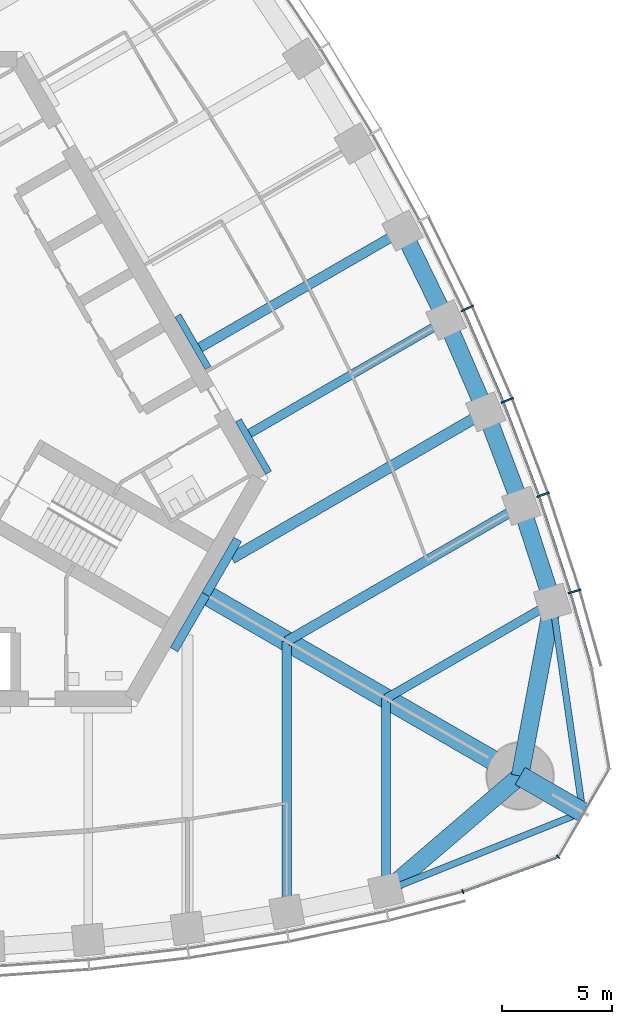
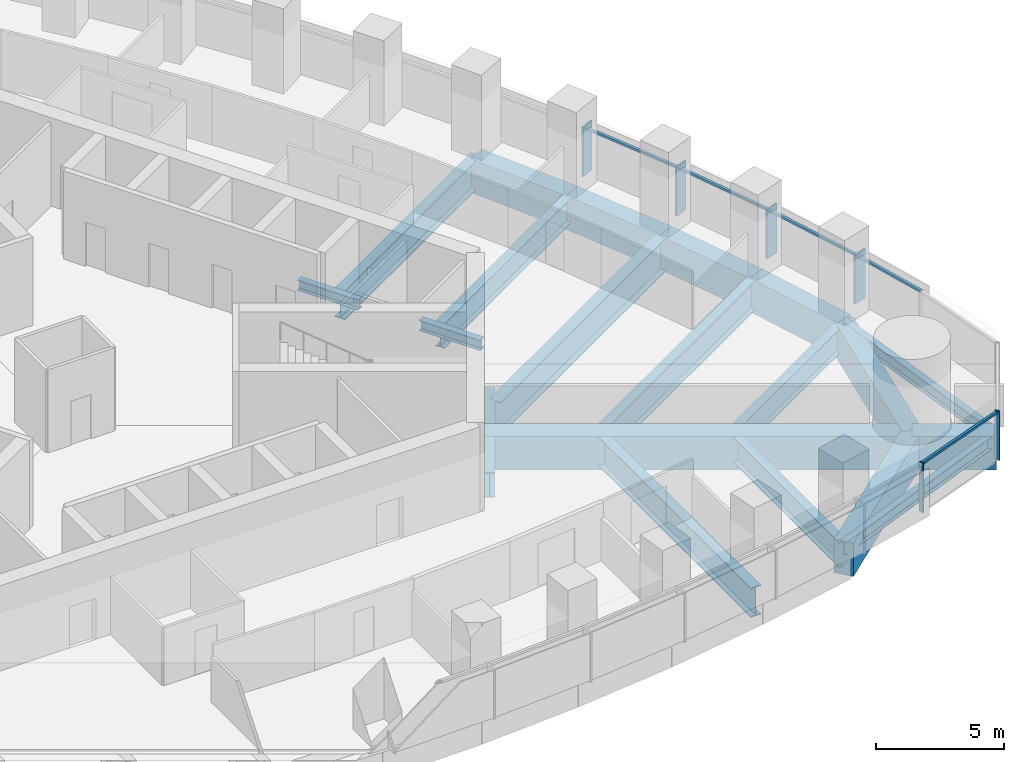
# One storey, part 4 of 19: 21 beams, 11 members, 2 elements without a shape of their own.
"""IFC4 building model written with IfcOpenShell, lengths in metres."""

from ifc_helpers import new_model, si_unit, direction, frame, origin, origin_2d, place, context, subcontext, project, spatial, rectangle, i_section, extrude, material, material_profile, profile_set, type_object, element, aggregate, save


model = new_model("IFC4")

# Units and contexts
model_context = context("Model", 3, precision=1e-05, world=origin(), true_north=direction((0.0, 1.0)))
body_context = subcontext(model_context, "Body", "Model", "MODEL_VIEW")
ifc_project = project(units=[si_unit("LENGTHUNIT", "METRE"), si_unit("AREAUNIT", "SQUARE_METRE"), si_unit("VOLUMEUNIT", "CUBIC_METRE"), si_unit("PLANEANGLEUNIT", "RADIAN"), si_unit("MASSUNIT", "GRAM", prefix="KILO")], contexts=[model_context])

# Site, building, storey
site_placement = place(None, origin())
site = spatial("IfcSite", under=ifc_project, at=site_placement, CompositionType="ELEMENT")
building_placement = place(site_placement, origin())
building = spatial("IfcBuilding", under=site, at=building_placement, Name="Trefoil Bronze Tower", CompositionType="ELEMENT")
storey_placement = place(building_placement, frame((0.0, 0.0, 261.10009765625)))
storey = spatial("IfcBuildingStorey", under=building, at=storey_placement, Name="L60", CompositionType="ELEMENT", Elevation=261.10009765625)

# Curtain wall, members
ifc_material_1 = material(Name="Tinted solar-control glass", Category="glass")
curtain_wall_type_1 = type_object("IfcCurtainWallType", Name="Bronze office curtain wall", PredefinedType="USERDEFINED", material=ifc_material_1)
curtain_wall_1_placement = place(storey_placement, origin())
curtain_wall_1 = element("IfcCurtainWall", 1, at=curtain_wall_1_placement, inside=storey, type_object=curtain_wall_type_1, Name="CW-A L60 F2", ObjectType="CURTAIN WALL", PredefinedType="USERDEFINED")
ifc_material_2 = material(Name="Bronze-finish aluminium", Category="aluminium")
ifc_material_profile_1 = material_profile(ifc_material_2, rectangle(XDim=0.60009765625, YDim=0.080078125, at=origin_2d()), Name="CW-A mullion")
ifc_profile_set_1 = profile_set([ifc_material_profile_1], Name="Bronze-finish aluminium")
member_type_1 = type_object("IfcMemberType", Name="Bronze office curtain wall mullion", PredefinedType="MULLION", material=ifc_profile_set_1)
member_1_placement = place(storey_placement, frame((31.05029296875, -8.132568359375, 0.0), z_axis=(0.0, 0.0, 1.0), x_axis=(-0.95694224323, -0.290278389002, 0.0)))
member_1 = element("IfcMember", 2, at=member_1_placement, type_object=member_type_1, Name="CW-A L60 F2 mullion 2", PredefinedType="MULLION", context=body_context, shape_type="SweptSolid", body=[
    extrude(rectangle(XDim=0.60009765625, YDim=0.080078125, at=origin_2d()), origin(), (0.0, 0.0, 1.0), 2.349853515625),
])
member_2_placement = place(storey_placement, frame((29.619873046875, -3.747314453125, 0.0), z_axis=(0.0, 0.0, 1.0), x_axis=(-0.943180077746, -0.332282020191, 0.0)))
member_2 = element("IfcMember", 3, at=member_2_placement, type_object=member_type_1, Name="CW-A L60 F2 mullion 3", PredefinedType="MULLION", context=body_context, shape_type="SweptSolid", body=[
    extrude(rectangle(XDim=0.60009765625, YDim=0.080078125, at=origin_2d()), origin(), (0.0, 0.0, 1.0), 2.349853515625),
])
member_3_placement = place(storey_placement, frame((27.999755859375, 0.529541015625, 0.0), z_axis=(0.0, 0.0, 1.0), x_axis=(-0.926689348282, -0.375828221106, 0.0)))
member_3 = element("IfcMember", 4, at=member_3_placement, type_object=member_type_1, Name="CW-A L60 F2 mullion 4", PredefinedType="MULLION", context=body_context, shape_type="SweptSolid", body=[
    extrude(rectangle(XDim=0.60009765625, YDim=0.080078125, at=origin_2d()), origin(), (0.0, 0.0, 1.0), 2.349853515625),
])
member_4_placement = place(storey_placement, frame((26.19482421875, 4.699462890625, 0.0), z_axis=(0.0, 0.0, 1.0), x_axis=(-0.908315380354, -0.418285990457, 0.0)))
member_4 = element("IfcMember", 5, at=member_4_placement, type_object=member_type_1, Name="CW-A L60 F2 mullion 5", PredefinedType="MULLION", context=body_context, shape_type="SweptSolid", body=[
    extrude(rectangle(XDim=0.60009765625, YDim=0.080078125, at=origin_2d()), origin(), (0.0, 0.0, 1.0), 2.349853515625),
])
ifc_material_3 = material(Name="Bronze-finish aluminium", Category="aluminium")
ifc_material_profile_2 = material_profile(ifc_material_3, rectangle(XDim=0.1201171875, YDim=0.10009765625, at=origin_2d()), Name="CW-A transom")
ifc_profile_set_2 = profile_set([ifc_material_profile_2], Name="Bronze-finish aluminium")
member_type_2 = type_object("IfcMemberType", Name="Bronze office curtain wall transom", PredefinedType="USERDEFINED", material=ifc_profile_set_2)
member_5_placement = place(storey_placement, frame((31.81201171875, -11.585205078125, 2.2998046875), z_axis=(-0.270284880437, 0.962780392097, 0.0), x_axis=(-0.962780392097, -0.270284880437, 0.0)))
member_5 = element("IfcMember", 6, at=member_5_placement, type_object=member_type_2, Name="CW-A L60 F2 transom 1", ObjectType="TRANSOM", PredefinedType="USERDEFINED", context=body_context, shape_type="SweptSolid", body=[
    extrude(rectangle(XDim=0.1201171875, YDim=0.10009765625, at=origin_2d()), origin(), (0.0, 0.0, 1.0), 3.48388671875),
])
member_6_placement = place(storey_placement, frame((30.845947265625, -8.150634765625, 2.2998046875), z_axis=(-0.310127806788, 0.950694874004, 0.0), x_axis=(-0.950694874004, -0.310127806788, 0.0)))
member_6 = element("IfcMember", 7, at=member_6_placement, type_object=member_type_2, Name="CW-A L60 F2 transom 2", ObjectType="TRANSOM", PredefinedType="USERDEFINED", context=body_context, shape_type="SweptSolid", body=[
    extrude(rectangle(XDim=0.1201171875, YDim=0.10009765625, at=origin_2d()), origin(), (0.0, 0.0, 1.0), 4.51953125),
])
member_7_placement = place(storey_placement, frame((29.416259765625, -3.774169921875, 2.2998046875), z_axis=(-0.354263170896, 0.935145767112, 0.0), x_axis=(-0.935145767112, -0.354263170896, 0.0)))
member_7 = element("IfcMember", 8, at=member_7_placement, type_object=member_type_2, Name="CW-A L60 F2 transom 3", ObjectType="TRANSOM", PredefinedType="USERDEFINED", context=body_context, shape_type="SweptSolid", body=[
    extrude(rectangle(XDim=0.1201171875, YDim=0.10009765625, at=origin_2d()), origin(), (0.0, 0.0, 1.0), 4.4794921875),
])
member_8_placement = place(storey_placement, frame((27.797607421875, 0.4931640625, 2.2998046875), z_axis=(-0.397220936772, 0.917723012346, 0.0), x_axis=(-0.917723012346, -0.397220936772, 0.0)))
member_8 = element("IfcMember", 9, at=member_8_placement, type_object=member_type_2, Name="CW-A L60 F2 transom 4", ObjectType="TRANSOM", PredefinedType="USERDEFINED", context=body_context, shape_type="SweptSolid", body=[
    extrude(rectangle(XDim=0.1201171875, YDim=0.10009765625, at=origin_2d()), origin(), (0.0, 0.0, 1.0), 4.449951171875),
])
aggregate(curtain_wall_1, [member_1, member_2, member_3, member_4, member_5, member_6, member_7, member_8])

ifc_material_4 = material(Name="Tinted solar-control glass", Category="glass")
curtain_wall_type_2 = type_object("IfcCurtainWallType", Name="Bronze rounded corner curtain wall", PredefinedType="USERDEFINED", material=ifc_material_4)
curtain_wall_2_placement = place(storey_placement, origin())
curtain_wall_2 = element("IfcCurtainWall", 10, at=curtain_wall_2_placement, inside=storey, type_object=curtain_wall_type_2, Name="CW-B L60 K1", ObjectType="CURTAIN WALL", PredefinedType="USERDEFINED")
ifc_material_5 = material(Name="Bronze-finish aluminium", Category="aluminium")
ifc_material_profile_3 = material_profile(ifc_material_5, rectangle(XDim=0.199951171875, YDim=0.06005859375, at=origin_2d()), Name="CW-B mullion")
ifc_profile_set_3 = profile_set([ifc_material_profile_3], Name="Bronze-finish aluminium")
member_type_3 = type_object("IfcMemberType", Name="Bronze rounded corner curtain wall mullion", PredefinedType="MULLION", material=ifc_profile_set_3)
member_9_placement = place(storey_placement, frame((25.9873046875, -21.74462890625, 0.0), z_axis=(0.0, 0.0, 1.0), x_axis=(-0.342020143326, 0.939692620786, 0.0)))
member_9 = element("IfcMember", 11, at=member_9_placement, type_object=member_type_3, Name="CW-B L60 K1 mullion 1", PredefinedType="MULLION", context=body_context, shape_type="SweptSolid", body=[
    extrude(rectangle(XDim=0.199951171875, YDim=0.06005859375, at=origin_2d()), origin(), (0.0, 0.0, 1.0), 2.349853515625),
])
member_10_placement = place(storey_placement, frame((30.302490234375, -20.16748046875, 0.0), z_axis=(0.0, 0.0, 1.0), x_axis=(-0.642787609687, 0.766044443119, 0.0)))
member_10 = element("IfcMember", 12, at=member_10_placement, type_object=member_type_3, Name="CW-B L60 K1 mullion 2", PredefinedType="MULLION", context=body_context, shape_type="SweptSolid", body=[
    extrude(rectangle(XDim=0.199951171875, YDim=0.06005859375, at=origin_2d()), origin(), (0.0, 0.0, 1.0), 2.349853515625),
])
ifc_material_6 = material(Name="Bronze-finish aluminium", Category="aluminium")
ifc_material_profile_4 = material_profile(ifc_material_6, rectangle(XDim=0.1201171875, YDim=0.10009765625, at=origin_2d()), Name="CW-B transom")
ifc_profile_set_4 = profile_set([ifc_material_profile_4], Name="Bronze-finish aluminium")
member_type_4 = type_object("IfcMemberType", Name="Bronze rounded corner curtain wall transom", PredefinedType="USERDEFINED", material=ifc_profile_set_4)
member_11_placement = place(storey_placement, frame((26.015380859375, -21.734375, 2.2998046875), z_axis=(0.939680910753, 0.342052314664, 0.0), x_axis=(-0.342052314664, 0.939680910753, 0.0)))
member_11 = element("IfcMember", 13, at=member_11_placement, type_object=member_type_4, Name="CW-B L60 K1 transom 1", ObjectType="TRANSOM", PredefinedType="USERDEFINED", context=body_context, shape_type="SweptSolid", body=[
    extrude(rectangle(XDim=0.1201171875, YDim=0.10009765625, at=origin_2d()), origin(), (0.0, 0.0, 1.0), 4.500244140625),
])
aggregate(curtain_wall_2, [member_9, member_10, member_11])

# Beams
ifc_material_7 = material(Name="Steel C355", Category="steel")
ifc_material_profile_5 = material_profile(ifc_material_7, i_section(OverallWidth=0.300048828125, OverallDepth=0.5, WebThickness=0.014404296875, FlangeThickness=0.028076171875, FilletRadius=0.027099609375, at=origin_2d()), Name="HEB 500")
ifc_profile_set_5 = profile_set([ifc_material_profile_5], Name="Steel C355")
beam_type_1 = type_object("IfcBeamType", Name="Core seat beam HEB 500", PredefinedType="BEAM", material=ifc_profile_set_5)
for number, where, z_axis, x_axis, name in (
    (14, (17.17626953125, -2.75, -0.4501953125), (-0.500035825175, 0.866004719122, 0.0), (-0.866004719122, -0.500035825175, 0.0), "Core seat beam F2/-2 L60"),
    (15, (14.433837890625, 2.0, -0.4501953125), (-0.500035825175, 0.866004719122, 0.0), (-0.866004719122, -0.500035825175, 0.0), "Core seat beam F2/-1 L60"),
):
    element("IfcBeam", number, at=place(storey_placement, frame(where, z_axis=z_axis, x_axis=x_axis)), inside=storey, type_object=beam_type_1, Name=name, PredefinedType="BEAM", context=body_context, shape_type="SweptSolid", body=[
        extrude(i_section(OverallWidth=0.300048828125, OverallDepth=0.5, WebThickness=0.014404296875, FlangeThickness=0.028076171875, FilletRadius=0.027099609375, at=origin_2d()), origin(), (0.0, 0.0, 1.0), 2.742431640625),
    ])
ifc_material_8 = material(Name="Steel C355", Category="steel")
ifc_material_profile_6 = material_profile(ifc_material_8, i_section(OverallWidth=0.39990234375, OverallDepth=1.199951171875, WebThickness=0.02001953125, FlangeThickness=0.0400390625, FilletRadius=0.010009765625, at=origin_2d()), Name="WPG 1200")
ifc_profile_set_6 = profile_set([ifc_material_profile_6], Name="Steel C355")
beam_type_2 = type_object("IfcBeamType", Name="Core seat beam WPG 1200", PredefinedType="BEAM", material=ifc_profile_set_6)
for number, where, z_axis, x_axis, name in (
    (16, (12.889404296875, -10.77490234375, -0.800048828125), (0.499995765644, 0.866027848477, 0.0), (-0.866027848477, 0.499995765644, 0.0), "Core seat beam F1/+3 L60"),
    (17, (14.332763671875, -8.27490234375, -0.800048828125), (0.499995765644, 0.866027848477, 0.0), (-0.866027848477, 0.499995765644, 0.0), "Core seat beam F2/-3 L60"),
):
    element("IfcBeam", number, at=place(storey_placement, frame(where, z_axis=z_axis, x_axis=x_axis)), inside=storey, type_object=beam_type_2, Name=name, PredefinedType="BEAM", context=body_context, shape_type="SweptSolid", body=[
        extrude(i_section(OverallWidth=0.39990234375, OverallDepth=1.199951171875, WebThickness=0.02001953125, FlangeThickness=0.0400390625, FilletRadius=0.010009765625, at=origin_2d()), origin(), (0.0, 0.0, 1.0), 2.88671875),
    ])
ifc_material_9 = material(Name="Concrete B80", Category="concrete")
ifc_material_profile_7 = material_profile(ifc_material_9, rectangle(XDim=0.89990234375, YDim=1.60009765625, at=origin_2d()), Name="RC 900x1600")
ifc_profile_set_7 = profile_set([ifc_material_profile_7], Name="Concrete B80")
beam_type_3 = type_object("IfcBeamType", Name="Corner cantilever RC 900x1600", PredefinedType="BEAM", material=ifc_profile_set_7)
beam_1_placement = place(storey_placement, frame((28.578857421875, -16.5, -1.0), z_axis=(0.866016004958, -0.500016278891, 0.0), x_axis=(0.500016278891, 0.866016004958, 0.0)))
element("IfcBeam", 18, at=beam_1_placement, inside=storey, type_object=beam_type_3, Name="Corner cantilever K1 L60", PredefinedType="BEAM", context=body_context, shape_type="SweptSolid", body=[
    extrude(rectangle(XDim=0.89990234375, YDim=1.60009765625, at=origin_2d()), origin(), (0.0, 0.0, 1.0), 3.28466796875),
])
ifc_material_10 = material(Name="Steel C355", Category="steel")
ifc_material_profile_8 = material_profile(ifc_material_10, i_section(OverallWidth=0.300048828125, OverallDepth=0.60009765625, WebThickness=0.015380859375, FlangeThickness=0.030029296875, FilletRadius=0.027099609375, at=origin_2d()), Name="HEB 600")
ifc_profile_set_8 = profile_set([ifc_material_profile_8], Name="Steel C355")
beam_type_4 = type_object("IfcBeamType", Name="Corner edge beam HEB 600", PredefinedType="BEAM", material=ifc_profile_set_8)
for number, where, z_axis, x_axis, name in (
    (19, (22.5, -21.71044921875, -0.5), (0.92852048463, 0.371281173266, 0.0), (-0.371281173266, 0.92852048463, 0.0), "Corner edge beam F1A L60"),
    (20, (30.052001953125, -8.63037109375, -0.5), (0.142694489722, -0.989766781925, 0.0), (0.989766781925, 0.142694489722, 0.0), "Corner edge beam F2B L60"),
):
    element("IfcBeam", number, at=place(storey_placement, frame(where, z_axis=z_axis, x_axis=x_axis)), inside=storey, type_object=beam_type_4, Name=name, PredefinedType="BEAM", context=body_context, shape_type="SweptSolid", body=[
        extrude(i_section(OverallWidth=0.300048828125, OverallDepth=0.60009765625, WebThickness=0.015380859375, FlangeThickness=0.030029296875, FilletRadius=0.027099609375, at=origin_2d()), origin(), (0.0, 0.0, 1.0), 9.6103515625),
    ])
ifc_material_11 = material(Name="Concrete B80", Category="concrete")
ifc_material_profile_9 = material_profile(ifc_material_11, rectangle(XDim=0.89990234375, YDim=1.60009765625, at=origin_2d()), Name="RC 900x1600")
ifc_profile_set_9 = profile_set([ifc_material_profile_9], Name="Concrete B80")
beam_type_5 = type_object("IfcBeamType", Name="Corner girder RC 900x1600", PredefinedType="BEAM", material=ifc_profile_set_9)
beam_2_placement = place(storey_placement, frame((14.159423828125, -8.175048828125, -1.0), z_axis=(0.866028334591, -0.49999492366, 0.0), x_axis=(0.49999492366, 0.866028334591, 0.0)))
element("IfcBeam", 21, at=beam_2_placement, inside=storey, type_object=beam_type_5, Name="Corner girder K1 L60", PredefinedType="BEAM", context=body_context, shape_type="SweptSolid", body=[
    extrude(rectangle(XDim=0.89990234375, YDim=1.60009765625, at=origin_2d()), origin(), (0.0, 0.0, 1.0), 16.650146484375),
])
ifc_material_12 = material(Name="Concrete B80", Category="concrete")
ifc_material_profile_10 = material_profile(ifc_material_12, rectangle(XDim=0.800048828125, YDim=1.60009765625, at=origin_2d()), Name="RC 800x1600")
ifc_profile_set_10 = profile_set([ifc_material_profile_10], Name="Concrete B80")
beam_type_6 = type_object("IfcBeamType", Name="End spandrel beam RC 800x1600", PredefinedType="SPANDREL", material=ifc_profile_set_10)
for number, where, z_axis, x_axis, name in (
    (22, (22.5, -21.71044921875, -1.0), (0.759256602365, 0.650791373456, 0.0), (-0.650791373456, 0.759256602365, 0.0), "Spandrel F1.12 L60"),
    (23, (28.578857421875, -16.5, -1.0), (0.18399763073, 0.982926686933, 0.0), (-0.982926686933, 0.18399763073, 0.0), "Spandrel F2.1 L60"),
):
    element("IfcBeam", number, at=place(storey_placement, frame(where, z_axis=z_axis, x_axis=x_axis)), inside=storey, type_object=beam_type_6, Name=name, PredefinedType="SPANDREL", context=body_context, shape_type="SweptSolid", body=[
        extrude(rectangle(XDim=0.800048828125, YDim=1.60009765625, at=origin_2d()), origin(), (0.0, 0.0, 1.0), 8.00634765625),
    ])
ifc_material_13 = material(Name="Steel C355", Category="steel")
ifc_material_profile_11 = material_profile(ifc_material_13, i_section(OverallWidth=0.39990234375, OverallDepth=1.199951171875, WebThickness=0.02001953125, FlangeThickness=0.0400390625, FilletRadius=0.010009765625, at=origin_2d()), Name="WPG 1200")
ifc_profile_set_11 = profile_set([ifc_material_profile_11], Name="Steel C355")
beam_type_7 = type_object("IfcBeamType", Name="Floor beam WPG 1200", PredefinedType="BEAM", material=ifc_profile_set_11)
beam_3_placement = place(storey_placement, frame((22.5, -21.71044921875, -0.800048828125), z_axis=(0.0, 1.0, 0.0), x_axis=(-1.0, 0.0, 0.0)))
element("IfcBeam", 24, at=beam_3_placement, inside=storey, type_object=beam_type_7, Name="Floor beam F1/+5 L60", PredefinedType="BEAM", context=body_context, shape_type="SweptSolid", body=[
    extrude(i_section(OverallWidth=0.39990234375, OverallDepth=1.199951171875, WebThickness=0.02001953125, FlangeThickness=0.0400390625, FilletRadius=0.010009765625, at=origin_2d()), origin(), (0.0, 0.0, 1.0), 8.719970703125),
])
beam_4_placement = place(storey_placement, frame((30.052001953125, -8.63037109375, -0.800048828125), z_axis=(-0.866027535932, -0.499996306993, 0.0), x_axis=(0.499996306993, -0.866027535932, 0.0)))
element("IfcBeam", 25, at=beam_4_placement, inside=storey, type_object=beam_type_7, Name="Floor beam F2/-5 L60", PredefinedType="BEAM", context=body_context, shape_type="SweptSolid", body=[
    extrude(i_section(OverallWidth=0.39990234375, OverallDepth=1.199951171875, WebThickness=0.02001953125, FlangeThickness=0.0400390625, FilletRadius=0.010009765625, at=origin_2d()), origin(), (0.0, 0.0, 1.0), 8.72021484375),
])
beam_5_placement = place(storey_placement, frame((25.2265625, 4.17236328125, -0.800048828125), z_axis=(-0.866019527493, -0.500010177898, 0.0), x_axis=(0.500010177898, -0.866019527493, 0.0)))
element("IfcBeam", 26, at=beam_5_placement, inside=storey, type_object=beam_type_7, Name="Floor beam F2/-2 L60", PredefinedType="BEAM", context=body_context, shape_type="SweptSolid", body=[
    extrude(i_section(OverallWidth=0.39990234375, OverallDepth=1.199951171875, WebThickness=0.02001953125, FlangeThickness=0.0400390625, FilletRadius=0.010009765625, at=origin_2d()), origin(), (0.0, 0.0, 1.0), 10.282958984375),
])
ifc_material_14 = material(Name="Steel C355", Category="steel")
ifc_material_profile_12 = material_profile(ifc_material_14, i_section(OverallWidth=0.449951171875, OverallDepth=1.39990234375, WebThickness=0.02294921875, FlangeThickness=0.044921875, FilletRadius=0.011962890625, at=origin_2d()), Name="WPG 1400")
ifc_profile_set_12 = profile_set([ifc_material_profile_12], Name="Steel C355")
beam_type_8 = type_object("IfcBeamType", Name="Floor beam WPG 1400", PredefinedType="BEAM", material=ifc_profile_set_12)
beam_6_placement = place(storey_placement, frame((18.0, -22.6689453125, -0.900146484375), z_axis=(0.0, 1.0, 0.0), x_axis=(-1.0, 0.0, 0.0)))
element("IfcBeam", 27, at=beam_6_placement, inside=storey, type_object=beam_type_8, Name="Floor beam F1/+4 L60", PredefinedType="BEAM", context=body_context, shape_type="SweptSolid", body=[
    extrude(i_section(OverallWidth=0.449951171875, OverallDepth=1.39990234375, WebThickness=0.02294921875, FlangeThickness=0.044921875, FilletRadius=0.011962890625, at=origin_2d()), origin(), (0.0, 0.0, 1.0), 12.276611328125),
])
beam_7_placement = place(storey_placement, frame((28.632080078125, -4.25390625, -0.900146484375), z_axis=(-0.866025635187, -0.499999599199, 0.0), x_axis=(0.499999599199, -0.866025635187, 0.0)))
element("IfcBeam", 28, at=beam_7_placement, inside=storey, type_object=beam_type_8, Name="Floor beam F2/-4 L60", PredefinedType="BEAM", context=body_context, shape_type="SweptSolid", body=[
    extrude(i_section(OverallWidth=0.449951171875, OverallDepth=1.39990234375, WebThickness=0.02294921875, FlangeThickness=0.044921875, FilletRadius=0.011962890625, at=origin_2d()), origin(), (0.0, 0.0, 1.0), 12.27685546875),
])
beam_8_placement = place(storey_placement, frame((23.248046875, 8.22607421875, -0.900146484375), z_axis=(-0.86602981261, -0.499992363612, 0.0), x_axis=(0.499992363612, -0.86602981261, 0.0)))
element("IfcBeam", 29, at=beam_8_placement, inside=storey, type_object=beam_type_8, Name="Floor beam F2/-1 L60", PredefinedType="BEAM", context=body_context, shape_type="SweptSolid", body=[
    extrude(i_section(OverallWidth=0.449951171875, OverallDepth=1.39990234375, WebThickness=0.02294921875, FlangeThickness=0.044921875, FilletRadius=0.011962890625, at=origin_2d()), origin(), (0.0, 0.0, 1.0), 10.596435546875),
])
ifc_material_15 = material(Name="Steel C355", Category="steel")
ifc_material_profile_13 = material_profile(ifc_material_15, i_section(OverallWidth=0.5, OverallDepth=1.60009765625, WebThickness=0.02587890625, FlangeThickness=0.050048828125, FilletRadius=0.011962890625, at=origin_2d()), Name="WPG 1600")
ifc_profile_set_13 = profile_set([ifc_material_profile_13], Name="Steel C355")
beam_type_9 = type_object("IfcBeamType", Name="Floor beam WPG 1600", PredefinedType="BEAM", material=ifc_profile_set_13)
beam_9_placement = place(storey_placement, frame((27.022216796875, 0.012939453125, -1.0), z_axis=(-0.866023461342, -0.500003364394, 0.0), x_axis=(0.500003364394, -0.866023461342, 0.0)))
element("IfcBeam", 30, at=beam_9_placement, inside=storey, type_object=beam_type_9, Name="Floor beam F2/-3 L60", PredefinedType="BEAM", context=body_context, shape_type="SweptSolid", body=[
    extrude(i_section(OverallWidth=0.5, OverallDepth=1.60009765625, WebThickness=0.02587890625, FlangeThickness=0.050048828125, FilletRadius=0.011962890625, at=origin_2d()), origin(), (0.0, 0.0, 1.0), 13.291015625),
])
ifc_material_16 = material(Name="Concrete B80", Category="concrete")
ifc_material_profile_14 = material_profile(ifc_material_16, rectangle(XDim=0.800048828125, YDim=1.60009765625, at=origin_2d()), Name="RC 800x1600")
ifc_profile_set_14 = profile_set([ifc_material_profile_14], Name="Concrete B80")
beam_type_10 = type_object("IfcBeamType", Name="Spandrel beam RC 800x1600", PredefinedType="SPANDREL", material=ifc_profile_set_14)
beam_10_placement = place(storey_placement, frame((30.052001953125, -8.63037109375, -1.0), z_axis=(-0.308608505504, 0.951189145402, 0.0), x_axis=(-0.951189145402, -0.308608505504, 0.0)))
element("IfcBeam", 31, at=beam_10_placement, inside=storey, type_object=beam_type_10, Name="Spandrel F2.2 L60", PredefinedType="SPANDREL", context=body_context, shape_type="SweptSolid", body=[
    extrude(rectangle(XDim=0.800048828125, YDim=1.60009765625, at=origin_2d()), origin(), (0.0, 0.0, 1.0), 4.60107421875),
])
beam_11_placement = place(storey_placement, frame((28.632080078125, -4.25390625, -1.0), z_axis=(-0.353005969632, 0.935621069346, 0.0), x_axis=(-0.935621069346, -0.353005969632, 0.0)))
element("IfcBeam", 32, at=beam_11_placement, inside=storey, type_object=beam_type_10, Name="Spandrel F2.3 L60", PredefinedType="SPANDREL", context=body_context, shape_type="SweptSolid", body=[
    extrude(rectangle(XDim=0.800048828125, YDim=1.60009765625, at=origin_2d()), origin(), (0.0, 0.0, 1.0), 4.560546875),
])
beam_12_placement = place(storey_placement, frame((27.022216796875, 0.012939453125, -1.0), z_axis=(-0.396350337164, 0.918099346602, 0.0), x_axis=(-0.918099346602, -0.396350337164, 0.0)))
element("IfcBeam", 33, at=beam_12_placement, inside=storey, type_object=beam_type_10, Name="Spandrel F2.4 L60", PredefinedType="SPANDREL", context=body_context, shape_type="SweptSolid", body=[
    extrude(rectangle(XDim=0.800048828125, YDim=1.60009765625, at=origin_2d()), origin(), (0.0, 0.0, 1.0), 4.530517578125),
])
beam_13_placement = place(storey_placement, frame((25.2265625, 4.17236328125, -1.0), z_axis=(-0.438619830351, 0.898672712629, 0.0), x_axis=(-0.898672712629, -0.438619830351, 0.0)))
element("IfcBeam", 34, at=beam_13_placement, inside=storey, type_object=beam_type_10, Name="Spandrel F2.5 L60", PredefinedType="SPANDREL", context=body_context, shape_type="SweptSolid", body=[
    extrude(rectangle(XDim=0.800048828125, YDim=1.60009765625, at=origin_2d()), origin(), (0.0, 0.0, 1.0), 4.5107421875),
])

save(model, "model.ifc")
